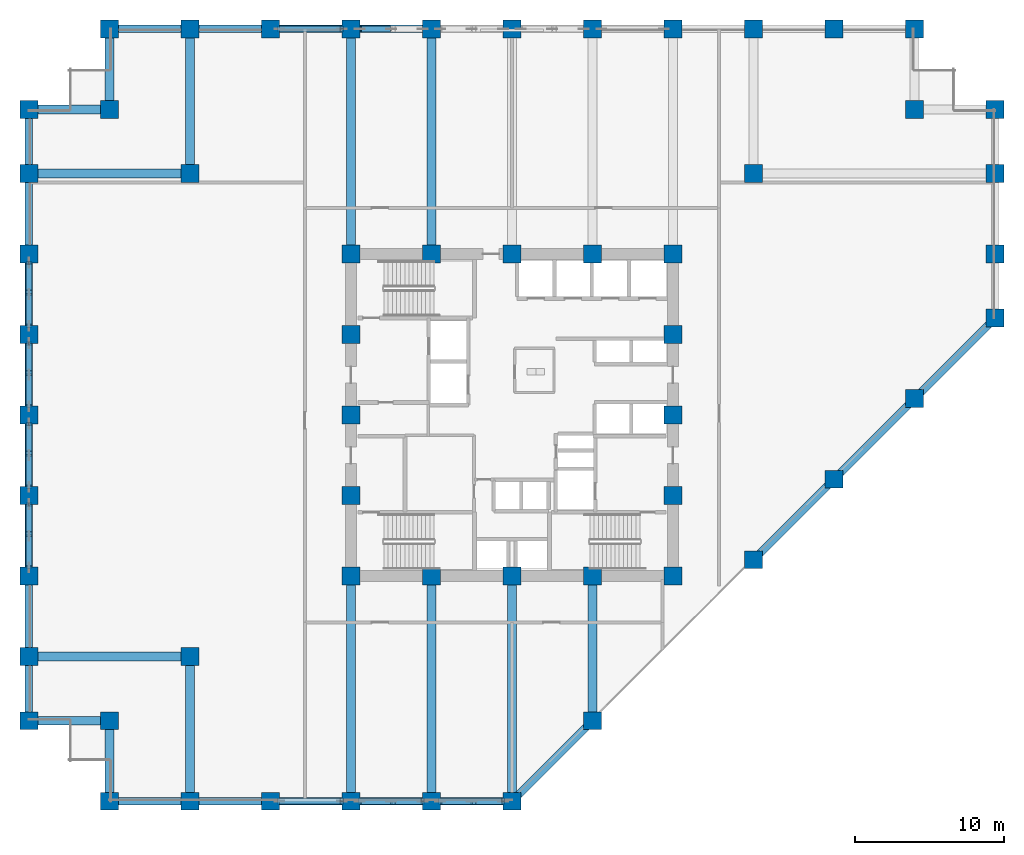
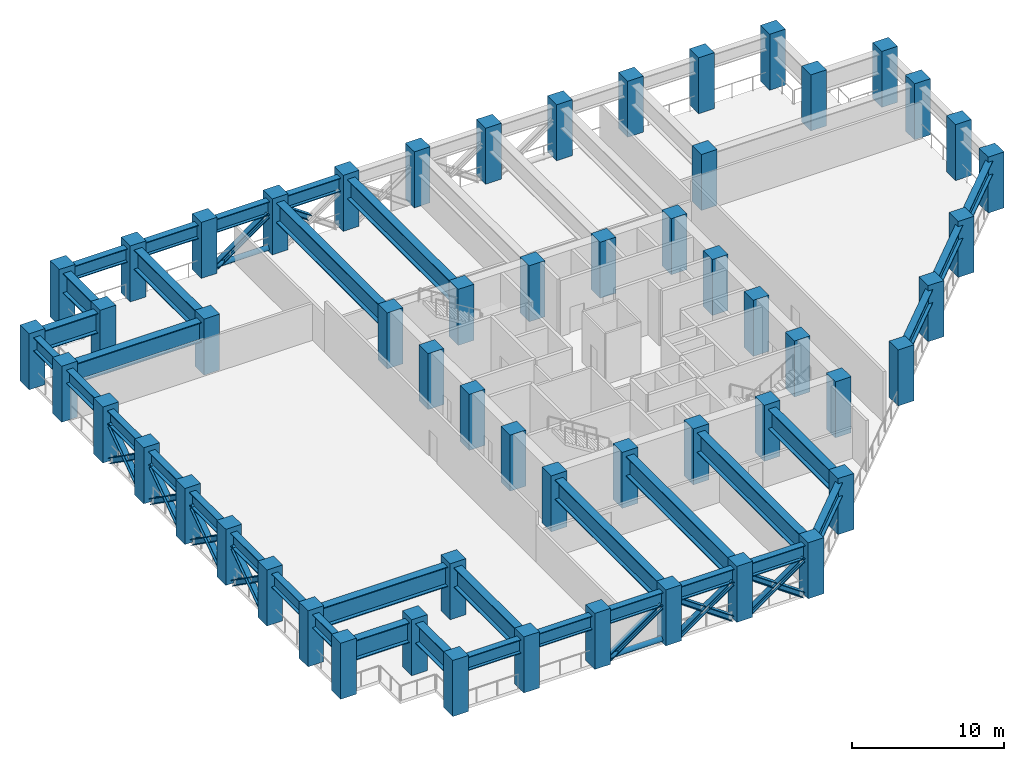
# One storey, part 1 of 12: 56 columns, 35 beams, 23 members.
"""IFC4 building model written with IfcOpenShell, lengths in metres."""

from ifc_helpers import new_model, si_unit, direction, frame, origin, origin_2d, place, context, subcontext, project, spatial, rectangle, hollow_circle, i_section, extrude, material, material_profile, profile_set, type_object, element, save


model = new_model("IFC4")

# Units and contexts
model_context = context("Model", 3, precision=1e-05, world=origin(), true_north=direction((0.0, 1.0)))
body_context = subcontext(model_context, "Body", "Model", "MODEL_VIEW")
ifc_project = project(units=[si_unit("LENGTHUNIT", "METRE"), si_unit("AREAUNIT", "SQUARE_METRE"), si_unit("VOLUMEUNIT", "CUBIC_METRE"), si_unit("PLANEANGLEUNIT", "RADIAN"), si_unit("MASSUNIT", "GRAM", prefix="KILO")], contexts=[model_context])

# Site, building, storey
site_placement = place(None, origin())
site = spatial("IfcSite", under=ifc_project, at=site_placement, CompositionType="ELEMENT")
building_placement = place(site_placement, origin())
building = spatial("IfcBuilding", under=site, at=building_placement, Name="Surkhivell Harbour Commons", CompositionType="ELEMENT")
storey_placement = place(building_placement, frame((0.0, 0.0, 78.75)))
storey = spatial("IfcBuildingStorey", under=building, at=storey_placement, Name="L20", CompositionType="ELEMENT", Elevation=78.75)

# Columns
ifc_material_1 = material(Name="Concrete C80/95", Category="concrete")
ifc_material_profile_1 = material_profile(ifc_material_1, rectangle(XDim=1.199951171875, YDim=1.199951171875, at=origin_2d()), Name="RC-COL-1200x1200")
ifc_profile_set_1 = profile_set([ifc_material_profile_1], Name="Concrete C80/95")
column_type = type_object("IfcColumnType", Name="COL-TUBE-Z1B", PredefinedType="COLUMN", material=ifc_profile_set_1)
for number, where, z_axis, x_axis, name in (
    (1, (-32.39990234375, -20.5, 0.0), (0.0, 0.0, 1.0), (1.0, 0.0, 0.0), "L20 Column CT-1B (-32.4,-20.5)"),
    (2, (-32.39990234375, -16.199951171875, 0.0), (0.0, 0.0, 1.0), (1.0, 0.0, 0.0), "L20 Column CT-1B (-32.4,-16.2)"),
    (3, (-32.39990234375, -10.800048828125, 0.0), (0.0, 0.0, 1.0), (1.0, 0.0, 0.0), "L20 Column CT-1B (-32.4,-10.8)"),
    (4, (-32.39990234375, -5.39990234375, 0.0), (0.0, 0.0, 1.0), (1.0, 0.0, 0.0), "L20 Column CT-1B (-32.4,-5.4)"),
    (5, (-32.39990234375, 0.0, 0.0), (0.0, 0.0, 1.0), (1.0, 0.0, 0.0), "L20 Column CT-1B (-32.4,0.0)"),
    (6, (-32.39990234375, 5.39990234375, 0.0), (0.0, 0.0, 1.0), (1.0, 0.0, 0.0), "L20 Column CT-1B (-32.4,5.4)"),
    (7, (-32.39990234375, 10.800048828125, 0.0), (0.0, 0.0, 1.0), (1.0, 0.0, 0.0), "L20 Column CT-1B (-32.4,10.8)"),
    (8, (-32.39990234375, 16.199951171875, 0.0), (0.0, 0.0, 1.0), (1.0, 0.0, 0.0), "L20 Column CT-1B (-32.4,16.2)"),
    (9, (-32.39990234375, 20.5, 0.0), (0.0, 0.0, 1.0), (1.0, 0.0, 0.0), "L20 Column CT-1B (-32.4,20.5)"),
    (10, (-27.0, -25.89990234375, 0.0), (0.0, 0.0, 1.0), (1.0, 0.0, 0.0), "L20 Column CT-1B (-27.0,-25.9)"),
    (11, (-27.0, -20.5, 0.0), (0.0, 0.0, 1.0), (1.0, 0.0, 0.0), "L20 Column CT-1B (-27.0,-20.5)"),
    (12, (-27.0, 20.5, 0.0), (0.0, 0.0, 1.0), (1.0, 0.0, 0.0), "L20 Column CT-1B (-27.0,20.5)"),
    (13, (-27.0, 25.89990234375, 0.0), (0.0, 0.0, 1.0), (1.0, 0.0, 0.0), "L20 Column CT-1B (-27.0,25.9)"),
    (14, (-21.60009765625, -25.89990234375, 0.0), (0.0, 0.0, 1.0), (1.0, 0.0, 0.0), "L20 Column CT-1B (-21.6,-25.9)"),
    (15, (-21.60009765625, -16.199951171875, 0.0), (0.0, 0.0, 1.0), (1.0, 0.0, 0.0), "L20 Column CT-1B (-21.6,-16.2)"),
    (16, (-21.60009765625, 16.199951171875, 0.0), (0.0, 0.0, 1.0), (1.0, 0.0, 0.0), "L20 Column CT-1B (-21.6,16.2)"),
    (17, (-21.60009765625, 25.89990234375, 0.0), (0.0, 0.0, 1.0), (1.0, 0.0, 0.0), "L20 Column CT-1B (-21.6,25.9)"),
    (18, (-16.199951171875, -25.89990234375, 0.0), (0.0, 0.0, 1.0), (1.0, 0.0, 0.0), "L20 Column CT-1B (-16.2,-25.9)"),
    (19, (-16.199951171875, 25.89990234375, 0.0), (0.0, 0.0, 1.0), (1.0, 0.0, 0.0), "L20 Column CT-1B (-16.2,25.9)"),
    (20, (-10.800048828125, -25.89990234375, 0.0), (0.0, 0.0, 1.0), (1.0, 0.0, 0.0), "L20 Column CT-1B (-10.8,-25.9)"),
    (21, (-10.800048828125, -10.800048828125, 0.0), (0.0, 0.0, 1.0), (1.0, 0.0, 0.0), "L20 Column CT-1B (-10.8,-10.8)"),
    (22, (-10.800048828125, -5.39990234375, 0.0), (0.0, 0.0, 1.0), (1.0, 0.0, 0.0), "L20 Column CT-1B (-10.8,-5.4)"),
    (23, (-10.800048828125, 0.0, 0.0), (0.0, 0.0, 1.0), (1.0, 0.0, 0.0), "L20 Column CT-1B (-10.8,0.0)"),
    (24, (-10.800048828125, 5.39990234375, 0.0), (0.0, 0.0, 1.0), (1.0, 0.0, 0.0), "L20 Column CT-1B (-10.8,5.4)"),
    (25, (-10.800048828125, 10.800048828125, 0.0), (0.0, 0.0, 1.0), (1.0, 0.0, 0.0), "L20 Column CT-1B (-10.8,10.8)"),
    (26, (-10.800048828125, 25.89990234375, 0.0), (0.0, 0.0, 1.0), (1.0, 0.0, 0.0), "L20 Column CT-1B (-10.8,25.9)"),
    (27, (-5.39990234375, -25.89990234375, 0.0), (0.0, 0.0, 1.0), (1.0, 0.0, 0.0), "L20 Column CT-1B (-5.4,-25.9)"),
    (28, (-5.39990234375, -10.800048828125, 0.0), (0.0, 0.0, 1.0), (1.0, 0.0, 0.0), "L20 Column CT-1B (-5.4,-10.8)"),
    (29, (-5.39990234375, 10.800048828125, 0.0), (0.0, 0.0, 1.0), (1.0, 0.0, 0.0), "L20 Column CT-1B (-5.4,10.8)"),
    (30, (-5.39990234375, 25.89990234375, 0.0), (0.0, 0.0, 1.0), (1.0, 0.0, 0.0), "L20 Column CT-1B (-5.4,25.9)"),
    (31, (0.0, -25.89990234375, 0.0), (0.0, 0.0, 1.0), (1.0, 0.0, 0.0), "L20 Column CT-1B (-0.0,-25.9)"),
    (32, (0.0, -10.800048828125, 0.0), (0.0, 0.0, 1.0), (1.0, 0.0, 0.0), "L20 Column CT-1B (0.0,-10.8)"),
    (33, (0.0, 10.800048828125, 0.0), (0.0, 0.0, 1.0), (1.0, 0.0, 0.0), "L20 Column CT-1B (0.0,10.8)"),
    (34, (0.0, 25.89990234375, 0.0), (0.0, 0.0, 1.0), (1.0, 0.0, 0.0), "L20 Column CT-1B (-0.0,25.9)"),
    (35, (5.39990234375, -20.5, 0.0), (0.0, 0.0, 1.0), (1.0, 0.0, 0.0), "L20 Column CT-1B (5.4,-20.5)"),
    (36, (5.39990234375, -10.800048828125, 0.0), (0.0, 0.0, 1.0), (1.0, 0.0, 0.0), "L20 Column CT-1B (5.4,-10.8)"),
    (37, (5.39990234375, 10.800048828125, 0.0), (0.0, 0.0, 1.0), (1.0, 0.0, 0.0), "L20 Column CT-1B (5.4,10.8)"),
    (38, (5.39990234375, 25.89990234375, 0.0), (0.0, 0.0, 1.0), (1.0, 0.0, 0.0), "L20 Column CT-1B (5.4,25.9)"),
    (39, (10.800048828125, -10.800048828125, 0.0), (0.0, 0.0, 1.0), (1.0, 0.0, 0.0), "L20 Column CT-1B (10.8,-10.8)"),
    (40, (10.800048828125, -5.39990234375, 0.0), (0.0, 0.0, 1.0), (1.0, 0.0, 0.0), "L20 Column CT-1B (10.8,-5.4)"),
    (41, (10.800048828125, 0.0, 0.0), (0.0, 0.0, 1.0), (1.0, 0.0, 0.0), "L20 Column CT-1B (10.8,0.0)"),
    (42, (10.800048828125, 5.39990234375, 0.0), (0.0, 0.0, 1.0), (1.0, 0.0, 0.0), "L20 Column CT-1B (10.8,5.4)"),
    (43, (10.800048828125, 10.800048828125, 0.0), (0.0, 0.0, 1.0), (1.0, 0.0, 0.0), "L20 Column CT-1B (10.8,10.8)"),
    (44, (10.800048828125, 25.89990234375, 0.0), (0.0, 0.0, 1.0), (1.0, 0.0, 0.0), "L20 Column CT-1B (10.8,25.9)"),
    (45, (16.199951171875, -9.699951171875, 0.0), (0.0, 0.0, 1.0), (1.0, 0.0, 0.0), "L20 Column CT-1B (16.2,-9.7)"),
    (46, (16.199951171875, 16.199951171875, 0.0), (0.0, 0.0, 1.0), (1.0, 0.0, 0.0), "L20 Column CT-1B (16.2,16.2)"),
    (47, (16.199951171875, 25.89990234375, 0.0), (0.0, 0.0, 1.0), (1.0, 0.0, 0.0), "L20 Column CT-1B (16.2,25.9)"),
    (48, (21.60009765625, -4.300048828125, 0.0), (0.0, 0.0, 1.0), (1.0, 0.0, 0.0), "L20 Column CT-1B (21.6,-4.3)"),
    (49, (21.60009765625, 25.89990234375, 0.0), (0.0, 0.0, 1.0), (1.0, 0.0, 0.0), "L20 Column CT-1B (21.6,25.9)"),
    (50, (27.0, 1.10009765625, 0.0), (0.0, 0.0, 1.0), (1.0, 0.0, 0.0), "L20 Column CT-1B (27.0,1.1)"),
    (51, (27.0, 20.5, 0.0), (0.0, 0.0, 1.0), (1.0, 0.0, 0.0), "L20 Column CT-1B (27.0,20.5)"),
    (52, (27.0, 25.89990234375, 0.0), (0.0, 0.0, 1.0), (1.0, 0.0, 0.0), "L20 Column CT-1B (27.0,25.9)"),
    (53, (32.39990234375, 6.5, 0.0), (0.0, 0.0, 1.0), (1.0, 0.0, 0.0), "L20 Column CT-1B (32.4,6.5)"),
    (54, (32.39990234375, 10.800048828125, 0.0), (0.0, 0.0, 1.0), (1.0, 0.0, 0.0), "L20 Column CT-1B (32.4,10.8)"),
    (55, (32.39990234375, 16.199951171875, 0.0), (0.0, 0.0, 1.0), (1.0, 0.0, 0.0), "L20 Column CT-1B (32.4,16.2)"),
    (56, (32.39990234375, 20.5, 0.0), (0.0, 0.0, 1.0), (1.0, 0.0, 0.0), "L20 Column CT-1B (32.4,20.5)"),
):
    element("IfcColumn", number, at=place(storey_placement, frame(where, z_axis=z_axis, x_axis=x_axis)), inside=storey, type_object=column_type, Name=name, PredefinedType="COLUMN", context=body_context, shape_type="SweptSolid", body=[
        extrude(rectangle(XDim=1.199951171875, YDim=1.199951171875, at=origin_2d()), origin(), (0.0, 0.0, 1.0), 4.5),
    ])

# Beams
ifc_material_2 = material(Name="Steel S460", Category="steel")
ifc_material_profile_2 = material_profile(ifc_material_2, i_section(OverallWidth=0.5, OverallDepth=1.10009765625, WebThickness=0.028076171875, FlangeThickness=0.054931640625, at=origin_2d()), Name="WPG1100x500x210")
ifc_profile_set_2 = profile_set([ifc_material_profile_2], Name="Steel S460")
beam_type_1 = type_object("IfcBeamType", Name="BM-BLT-1100", PredefinedType="BEAM", material=ifc_profile_set_2)
beam_1_placement = place(storey_placement, frame((-32.39990234375, -20.5, 3.530029296875), z_axis=(0.0, 1.0, 0.0), x_axis=(-1.0, 0.0, 0.0)))
element("IfcBeam", 57, at=beam_1_placement, inside=storey, type_object=beam_type_1, Name="L20 Tube Spandrel (-32.4,-20.5)", PredefinedType="BEAM", context=body_context, shape_type="SweptSolid", body=[
    extrude(i_section(OverallWidth=0.5, OverallDepth=1.10009765625, WebThickness=0.028076171875, FlangeThickness=0.054931640625, at=origin_2d()), origin(), (0.0, 0.0, 1.0), 4.300048828125),
])
beam_2_placement = place(storey_placement, frame((-32.39990234375, -16.199951171875, 3.530029296875), z_axis=(0.0, 1.0, 0.0), x_axis=(-1.0, 0.0, 0.0)))
element("IfcBeam", 58, at=beam_2_placement, inside=storey, type_object=beam_type_1, Name="L20 Tube Spandrel (-32.4,-16.2)", PredefinedType="BEAM", context=body_context, shape_type="SweptSolid", body=[
    extrude(i_section(OverallWidth=0.5, OverallDepth=1.10009765625, WebThickness=0.028076171875, FlangeThickness=0.054931640625, at=origin_2d()), origin(), (0.0, 0.0, 1.0), 5.39990234375),
])
beam_3_placement = place(storey_placement, frame((-32.39990234375, -10.800048828125, 3.530029296875), z_axis=(0.0, 1.0, 0.0), x_axis=(-1.0, 0.0, 0.0)))
element("IfcBeam", 59, at=beam_3_placement, inside=storey, type_object=beam_type_1, Name="L20 Tube Spandrel (-32.4,-10.8)", PredefinedType="BEAM", context=body_context, shape_type="SweptSolid", body=[
    extrude(i_section(OverallWidth=0.5, OverallDepth=1.10009765625, WebThickness=0.028076171875, FlangeThickness=0.054931640625, at=origin_2d()), origin(), (0.0, 0.0, 1.0), 5.400146484375),
])
for number, where, z_axis, x_axis, name in (
    (60, (-32.39990234375, -5.39990234375, 3.530029296875), (0.0, 1.0, 0.0), (-1.0, 0.0, 0.0), "L20 Tube Spandrel (-32.4,-5.4)"),
    (61, (-32.39990234375, 0.0, 3.530029296875), (0.0, 1.0, 0.0), (-1.0, 0.0, 0.0), "L20 Tube Spandrel (-32.4,0.0)"),
):
    element("IfcBeam", number, at=place(storey_placement, frame(where, z_axis=z_axis, x_axis=x_axis)), inside=storey, type_object=beam_type_1, Name=name, PredefinedType="BEAM", context=body_context, shape_type="SweptSolid", body=[
        extrude(i_section(OverallWidth=0.5, OverallDepth=1.10009765625, WebThickness=0.028076171875, FlangeThickness=0.054931640625, at=origin_2d()), origin(), (0.0, 0.0, 1.0), 5.39990234375),
    ])
beam_4_placement = place(storey_placement, frame((-32.39990234375, 5.39990234375, 3.530029296875), z_axis=(0.0, 1.0, 0.0), x_axis=(-1.0, 0.0, 0.0)))
element("IfcBeam", 62, at=beam_4_placement, inside=storey, type_object=beam_type_1, Name="L20 Tube Spandrel (-32.4,5.4)", PredefinedType="BEAM", context=body_context, shape_type="SweptSolid", body=[
    extrude(i_section(OverallWidth=0.5, OverallDepth=1.10009765625, WebThickness=0.028076171875, FlangeThickness=0.054931640625, at=origin_2d()), origin(), (0.0, 0.0, 1.0), 5.400146484375),
])
beam_5_placement = place(storey_placement, frame((-32.39990234375, 10.800048828125, 3.530029296875), z_axis=(0.0, 1.0, 0.0), x_axis=(-1.0, 0.0, 0.0)))
element("IfcBeam", 63, at=beam_5_placement, inside=storey, type_object=beam_type_1, Name="L20 Tube Spandrel (-32.4,10.8)", PredefinedType="BEAM", context=body_context, shape_type="SweptSolid", body=[
    extrude(i_section(OverallWidth=0.5, OverallDepth=1.10009765625, WebThickness=0.028076171875, FlangeThickness=0.054931640625, at=origin_2d()), origin(), (0.0, 0.0, 1.0), 5.39990234375),
])
beam_6_placement = place(storey_placement, frame((-32.39990234375, 16.199951171875, 3.530029296875), z_axis=(0.0, 1.0, 0.0), x_axis=(-1.0, 0.0, 0.0)))
element("IfcBeam", 64, at=beam_6_placement, inside=storey, type_object=beam_type_1, Name="L20 Tube Spandrel (-32.4,16.2)", PredefinedType="BEAM", context=body_context, shape_type="SweptSolid", body=[
    extrude(i_section(OverallWidth=0.5, OverallDepth=1.10009765625, WebThickness=0.028076171875, FlangeThickness=0.054931640625, at=origin_2d()), origin(), (0.0, 0.0, 1.0), 4.300048828125),
])
for number, where, z_axis, x_axis, name in (
    (65, (-27.0, -25.89990234375, 3.530029296875), (1.0, 0.0, 0.0), (0.0, 1.0, 0.0), "L20 Tube Spandrel (-27.0,-25.9)"),
    (66, (-27.0, 25.89990234375, 3.530029296875), (1.0, 0.0, 0.0), (0.0, 1.0, 0.0), "L20 Tube Spandrel (-27.0,25.9)"),
):
    element("IfcBeam", number, at=place(storey_placement, frame(where, z_axis=z_axis, x_axis=x_axis)), inside=storey, type_object=beam_type_1, Name=name, PredefinedType="BEAM", context=body_context, shape_type="SweptSolid", body=[
        extrude(i_section(OverallWidth=0.5, OverallDepth=1.10009765625, WebThickness=0.028076171875, FlangeThickness=0.054931640625, at=origin_2d()), origin(), (0.0, 0.0, 1.0), 5.39990234375),
    ])
for number, where, z_axis, x_axis, name in (
    (67, (-21.60009765625, -25.89990234375, 3.530029296875), (1.0, 0.0, 0.0), (0.0, 1.0, 0.0), "L20 Tube Spandrel (-21.6,-25.9)"),
    (68, (-21.60009765625, 25.89990234375, 3.530029296875), (1.0, 0.0, 0.0), (0.0, 1.0, 0.0), "L20 Tube Spandrel (-21.6,25.9)"),
):
    element("IfcBeam", number, at=place(storey_placement, frame(where, z_axis=z_axis, x_axis=x_axis)), inside=storey, type_object=beam_type_1, Name=name, PredefinedType="BEAM", context=body_context, shape_type="SweptSolid", body=[
        extrude(i_section(OverallWidth=0.5, OverallDepth=1.10009765625, WebThickness=0.028076171875, FlangeThickness=0.054931640625, at=origin_2d()), origin(), (0.0, 0.0, 1.0), 5.400146484375),
    ])
for number, where, z_axis, x_axis, name in (
    (69, (-16.199951171875, -25.89990234375, 3.530029296875), (1.0, 0.0, 0.0), (0.0, 1.0, 0.0), "L20 Tube Spandrel (-16.2,-25.9)"),
    (70, (-16.199951171875, 25.89990234375, 3.530029296875), (1.0, 0.0, 0.0), (0.0, 1.0, 0.0), "L20 Tube Spandrel (-16.2,25.9)"),
):
    element("IfcBeam", number, at=place(storey_placement, frame(where, z_axis=z_axis, x_axis=x_axis)), inside=storey, type_object=beam_type_1, Name=name, PredefinedType="BEAM", context=body_context, shape_type="SweptSolid", body=[
        extrude(i_section(OverallWidth=0.5, OverallDepth=1.10009765625, WebThickness=0.028076171875, FlangeThickness=0.054931640625, at=origin_2d()), origin(), (0.0, 0.0, 1.0), 5.39990234375),
    ])
for number, where, z_axis, x_axis, name in (
    (71, (-10.800048828125, -25.89990234375, 3.530029296875), (1.0, 0.0, 0.0), (0.0, 1.0, 0.0), "L20 Tube Spandrel (-10.8,-25.9)"),
    (72, (-10.800048828125, 25.89990234375, 3.530029296875), (1.0, 0.0, 0.0), (0.0, 1.0, 0.0), "L20 Tube Spandrel (-10.8,25.9)"),
):
    element("IfcBeam", number, at=place(storey_placement, frame(where, z_axis=z_axis, x_axis=x_axis)), inside=storey, type_object=beam_type_1, Name=name, PredefinedType="BEAM", context=body_context, shape_type="SweptSolid", body=[
        extrude(i_section(OverallWidth=0.5, OverallDepth=1.10009765625, WebThickness=0.028076171875, FlangeThickness=0.054931640625, at=origin_2d()), origin(), (0.0, 0.0, 1.0), 5.400146484375),
    ])
beam_7_placement = place(storey_placement, frame((-5.39990234375, -25.89990234375, 3.530029296875), z_axis=(1.0, 0.0, 0.0), x_axis=(0.0, 1.0, 0.0)))
element("IfcBeam", 73, at=beam_7_placement, inside=storey, type_object=beam_type_1, Name="L20 Tube Spandrel (-5.4,-25.9)", PredefinedType="BEAM", context=body_context, shape_type="SweptSolid", body=[
    extrude(i_section(OverallWidth=0.5, OverallDepth=1.10009765625, WebThickness=0.028076171875, FlangeThickness=0.054931640625, at=origin_2d()), origin(), (0.0, 0.0, 1.0), 5.39990234375),
])
for number, where, z_axis, x_axis, name in (
    (74, (0.0, -25.89990234375, 3.530029296875), (0.707106781187, 0.707106781187, 0.0), (-0.707106781187, 0.707106781187, 0.0), "L20 Tube Spandrel (-0.0,-25.9)"),
    (75, (16.199951171875, -9.699951171875, 3.530029296875), (0.707122765516, 0.707090796496, 0.0), (-0.707090796496, 0.707122765516, 0.0), "L20 Tube Spandrel (16.2,-9.7)"),
    (76, (21.60009765625, -4.300048828125, 3.530029296875), (0.707090796496, 0.707122765516, 0.0), (-0.707122765516, 0.707090796496, 0.0), "L20 Tube Spandrel (21.6,-4.3)"),
    (77, (27.0, 1.10009765625, 3.530029296875), (0.707106781187, 0.707106781187, 0.0), (-0.707106781187, 0.707106781187, 0.0), "L20 Tube Spandrel (27.0,1.1)"),
):
    element("IfcBeam", number, at=place(storey_placement, frame(where, z_axis=z_axis, x_axis=x_axis)), inside=storey, type_object=beam_type_1, Name=name, PredefinedType="BEAM", context=body_context, shape_type="SweptSolid", body=[
        extrude(i_section(OverallWidth=0.5, OverallDepth=1.10009765625, WebThickness=0.028076171875, FlangeThickness=0.054931640625, at=origin_2d()), origin(), (0.0, 0.0, 1.0), 7.63671875),
    ])
ifc_material_profile_3 = material_profile(ifc_material_2, i_section(OverallWidth=0.60009765625, OverallDepth=1.60009765625, WebThickness=0.035888671875, FlangeThickness=0.06494140625, at=origin_2d()), Name="WPG1600x600x296")
ifc_profile_set_3 = profile_set([ifc_material_profile_3], Name="Steel S460")
beam_type_2 = type_object("IfcBeamType", Name="BM-TRF-1600", PredefinedType="BEAM", material=ifc_profile_set_3)
beam_8_placement = place(storey_placement, frame((-32.39990234375, -20.5, 3.280029296875), z_axis=(1.0, 0.0, 0.0), x_axis=(0.0, 1.0, 0.0)))
element("IfcBeam", 78, at=beam_8_placement, inside=storey, type_object=beam_type_2, Name="L20 Floor Girder (-32.4,-20.5)", PredefinedType="BEAM", context=body_context, shape_type="SweptSolid", body=[
    extrude(i_section(OverallWidth=0.60009765625, OverallDepth=1.60009765625, WebThickness=0.035888671875, FlangeThickness=0.06494140625, at=origin_2d()), origin(), (0.0, 0.0, 1.0), 5.39990234375),
])
for number, where, z_axis, x_axis, name in (
    (79, (-32.39990234375, -16.199951171875, 3.280029296875), (1.0, 0.0, 0.0), (0.0, 1.0, 0.0), "L20 Floor Girder (-32.4,-16.2)"),
    (80, (-32.39990234375, 16.199951171875, 3.280029296875), (1.0, 0.0, 0.0), (0.0, 1.0, 0.0), "L20 Floor Girder (-32.4,16.2)"),
):
    element("IfcBeam", number, at=place(storey_placement, frame(where, z_axis=z_axis, x_axis=x_axis)), inside=storey, type_object=beam_type_2, Name=name, PredefinedType="BEAM", context=body_context, shape_type="SweptSolid", body=[
        extrude(i_section(OverallWidth=0.60009765625, OverallDepth=1.60009765625, WebThickness=0.035888671875, FlangeThickness=0.06494140625, at=origin_2d()), origin(), (0.0, 0.0, 1.0), 10.7998046875),
    ])
for number, where, z_axis, x_axis, name in (
    (81, (-32.39990234375, 20.5, 3.280029296875), (1.0, 0.0, 0.0), (0.0, 1.0, 0.0), "L20 Floor Girder (-32.4,20.5)"),
    (82, (-27.0, -25.89990234375, 3.280029296875), (0.0, 1.0, 0.0), (-1.0, 0.0, 0.0), "L20 Floor Girder (-27.0,-25.9)"),
    (83, (-27.0, 20.5, 3.280029296875), (0.0, 1.0, 0.0), (-1.0, 0.0, 0.0), "L20 Floor Girder (-27.0,20.5)"),
):
    element("IfcBeam", number, at=place(storey_placement, frame(where, z_axis=z_axis, x_axis=x_axis)), inside=storey, type_object=beam_type_2, Name=name, PredefinedType="BEAM", context=body_context, shape_type="SweptSolid", body=[
        extrude(i_section(OverallWidth=0.60009765625, OverallDepth=1.60009765625, WebThickness=0.035888671875, FlangeThickness=0.06494140625, at=origin_2d()), origin(), (0.0, 0.0, 1.0), 5.39990234375),
    ])
for number, where, z_axis, x_axis, name in (
    (84, (-21.60009765625, -25.89990234375, 3.280029296875), (0.0, 1.0, 0.0), (-1.0, 0.0, 0.0), "L20 Floor Girder (-21.6,-25.9)"),
    (85, (-21.60009765625, 16.199951171875, 3.280029296875), (0.0, 1.0, 0.0), (-1.0, 0.0, 0.0), "L20 Floor Girder (-21.6,16.2)"),
):
    element("IfcBeam", number, at=place(storey_placement, frame(where, z_axis=z_axis, x_axis=x_axis)), inside=storey, type_object=beam_type_2, Name=name, PredefinedType="BEAM", context=body_context, shape_type="SweptSolid", body=[
        extrude(i_section(OverallWidth=0.60009765625, OverallDepth=1.60009765625, WebThickness=0.035888671875, FlangeThickness=0.06494140625, at=origin_2d()), origin(), (0.0, 0.0, 1.0), 9.699951171875),
    ])
for number, where, z_axis, x_axis, name in (
    (86, (-10.800048828125, -25.89990234375, 3.280029296875), (0.0, 1.0, 0.0), (-1.0, 0.0, 0.0), "L20 Floor Girder (-10.8,-25.9)"),
    (87, (-10.800048828125, 10.800048828125, 3.280029296875), (0.0, 1.0, 0.0), (-1.0, 0.0, 0.0), "L20 Floor Girder (-10.8,10.8)"),
    (88, (-5.39990234375, -25.89990234375, 3.280029296875), (0.0, 1.0, 0.0), (-1.0, 0.0, 0.0), "L20 Floor Girder (-5.4,-25.9)"),
    (89, (-5.39990234375, 10.800048828125, 3.280029296875), (0.0, 1.0, 0.0), (-1.0, 0.0, 0.0), "L20 Floor Girder (-5.4,10.8)"),
    (90, (0.0, -25.89990234375, 3.280029296875), (0.0, 1.0, 0.0), (-1.0, 0.0, 0.0), "L20 Floor Girder (0.0,-25.9)"),
):
    element("IfcBeam", number, at=place(storey_placement, frame(where, z_axis=z_axis, x_axis=x_axis)), inside=storey, type_object=beam_type_2, Name=name, PredefinedType="BEAM", context=body_context, shape_type="SweptSolid", body=[
        extrude(i_section(OverallWidth=0.60009765625, OverallDepth=1.60009765625, WebThickness=0.035888671875, FlangeThickness=0.06494140625, at=origin_2d()), origin(), (0.0, 0.0, 1.0), 15.099853515625),
    ])
beam_9_placement = place(storey_placement, frame((5.39990234375, -20.5, 3.280029296875), z_axis=(0.0, 1.0, 0.0), x_axis=(-1.0, 0.0, 0.0)))
element("IfcBeam", 91, at=beam_9_placement, inside=storey, type_object=beam_type_2, Name="L20 Floor Girder (5.4,-20.5)", PredefinedType="BEAM", context=body_context, shape_type="SweptSolid", body=[
    extrude(i_section(OverallWidth=0.60009765625, OverallDepth=1.60009765625, WebThickness=0.035888671875, FlangeThickness=0.06494140625, at=origin_2d()), origin(), (0.0, 0.0, 1.0), 9.699951171875),
])

# Members
ifc_material_profile_4 = material_profile(ifc_material_2, i_section(OverallWidth=0.406005859375, OverallDepth=0.416015625, WebThickness=0.026611328125, FlangeThickness=0.0390625, at=origin_2d()), Name="HD400x382")
ifc_profile_set_4 = profile_set([ifc_material_profile_4], Name="Steel S460")
member_type_1 = type_object("IfcMemberType", Name="MEM-BLT-BT1", PredefinedType="BRACE", material=ifc_profile_set_4)
member_1_placement = place(storey_placement, frame((-32.39990234375, -4.81494140625, 0.008056640625), z_axis=(0.0, 0.817881291451, 0.575386994199), x_axis=(-1.0, 0.0, 0.0)))
element("IfcMember", 92, at=member_1_placement, inside=storey, type_object=member_type_1, Name="L20 Belt-Truss Diagonal BT- 01", PredefinedType="BRACE", context=body_context, shape_type="SweptSolid", body=[
    extrude(i_section(OverallWidth=0.406005859375, OverallDepth=0.416015625, WebThickness=0.026611328125, FlangeThickness=0.0390625, at=origin_2d()), origin(), (0.0, 0.0, 1.0), 5.171875),
])
for number, where, z_axis, x_axis, name in (
    (93, (-32.39990234375, -0.5849609375, 0.008056640625), (0.0, -0.817874182939, 0.57539709843), (1.0, 0.0, 0.0), "L20 Belt-Truss Diagonal BT- 02"),
    (94, (-32.39990234375, -2.86328125, 1.61083984375), (0.0, -0.817874182939, 0.57539709843), (1.0, 0.0, 0.0), "L20 Belt-Truss Diagonal BT- 03"),
):
    element("IfcMember", number, at=place(storey_placement, frame(where, z_axis=z_axis, x_axis=x_axis)), inside=storey, type_object=member_type_1, Name=name, PredefinedType="BRACE", context=body_context, shape_type="SweptSolid", body=[
        extrude(i_section(OverallWidth=0.406005859375, OverallDepth=0.416015625, WebThickness=0.026611328125, FlangeThickness=0.0390625, at=origin_2d()), origin(), (0.0, 0.0, 1.0), 2.38623046875),
    ])
member_2_placement = place(storey_placement, frame((-32.39990234375, 0.5849609375, 0.008056640625), z_axis=(0.0, 0.817881291451, 0.575386994199), x_axis=(-1.0, 0.0, 0.0)))
element("IfcMember", 95, at=member_2_placement, inside=storey, type_object=member_type_1, Name="L20 Belt-Truss Diagonal BT- 04", PredefinedType="BRACE", context=body_context, shape_type="SweptSolid", body=[
    extrude(i_section(OverallWidth=0.406005859375, OverallDepth=0.416015625, WebThickness=0.026611328125, FlangeThickness=0.0390625, at=origin_2d()), origin(), (0.0, 0.0, 1.0), 5.171875),
])
for number, where, z_axis, x_axis, name in (
    (96, (-32.39990234375, 4.81494140625, 0.008056640625), (0.0, -0.817874182939, 0.57539709843), (1.0, 0.0, 0.0), "L20 Belt-Truss Diagonal BT- 05"),
    (97, (-32.39990234375, 2.53662109375, 1.61083984375), (0.0, -0.817874182939, 0.57539709843), (1.0, 0.0, 0.0), "L20 Belt-Truss Diagonal BT- 06"),
):
    element("IfcMember", number, at=place(storey_placement, frame(where, z_axis=z_axis, x_axis=x_axis)), inside=storey, type_object=member_type_1, Name=name, PredefinedType="BRACE", context=body_context, shape_type="SweptSolid", body=[
        extrude(i_section(OverallWidth=0.406005859375, OverallDepth=0.416015625, WebThickness=0.026611328125, FlangeThickness=0.0390625, at=origin_2d()), origin(), (0.0, 0.0, 1.0), 2.38623046875),
    ])
member_3_placement = place(storey_placement, frame((-10.215087890625, -25.89990234375, 0.008056640625), z_axis=(0.817881291451, 0.0, 0.575386994199), x_axis=(0.0, 1.0, 0.0)))
element("IfcMember", 98, at=member_3_placement, inside=storey, type_object=member_type_1, Name="L20 Belt-Truss Diagonal BT- 13", PredefinedType="BRACE", context=body_context, shape_type="SweptSolid", body=[
    extrude(i_section(OverallWidth=0.406005859375, OverallDepth=0.416015625, WebThickness=0.026611328125, FlangeThickness=0.0390625, at=origin_2d()), origin(), (0.0, 0.0, 1.0), 5.171875),
])
member_4_placement = place(storey_placement, frame((-5.985107421875, -25.89990234375, 0.008056640625), z_axis=(-0.817874182939, 0.0, 0.57539709843), x_axis=(0.0, -1.0, 0.0)))
element("IfcMember", 99, at=member_4_placement, inside=storey, type_object=member_type_1, Name="L20 Belt-Truss Diagonal BT- 14", PredefinedType="BRACE", context=body_context, shape_type="SweptSolid", body=[
    extrude(i_section(OverallWidth=0.406005859375, OverallDepth=0.416015625, WebThickness=0.026611328125, FlangeThickness=0.0390625, at=origin_2d()), origin(), (0.0, 0.0, 1.0), 2.38623046875),
])
member_5_placement = place(storey_placement, frame((-8.26318359375, -25.89990234375, 1.61083984375), z_axis=(-0.817908052002, 0.0, 0.575348953653), x_axis=(0.0, -1.0, 0.0)))
element("IfcMember", 100, at=member_5_placement, inside=storey, type_object=member_type_1, Name="L20 Belt-Truss Diagonal BT- 15", PredefinedType="BRACE", context=body_context, shape_type="SweptSolid", body=[
    extrude(i_section(OverallWidth=0.406005859375, OverallDepth=0.416015625, WebThickness=0.026611328125, FlangeThickness=0.0390625, at=origin_2d()), origin(), (0.0, 0.0, 1.0), 2.386474609375),
])
member_6_placement = place(storey_placement, frame((-4.81494140625, -25.89990234375, 0.008056640625), z_axis=(0.817881291451, 0.0, 0.575386994199), x_axis=(0.0, 1.0, 0.0)))
element("IfcMember", 101, at=member_6_placement, inside=storey, type_object=member_type_1, Name="L20 Belt-Truss Diagonal BT- 16", PredefinedType="BRACE", context=body_context, shape_type="SweptSolid", body=[
    extrude(i_section(OverallWidth=0.406005859375, OverallDepth=0.416015625, WebThickness=0.026611328125, FlangeThickness=0.0390625, at=origin_2d()), origin(), (0.0, 0.0, 1.0), 5.171875),
])
for number, where, z_axis, x_axis, name in (
    (102, (-0.5849609375, -25.89990234375, 0.008056640625), (-0.817874182939, 0.0, 0.57539709843), (0.0, -1.0, 0.0), "L20 Belt-Truss Diagonal BT- 17"),
    (103, (-2.86328125, -25.89990234375, 1.61083984375), (-0.817874182939, 0.0, 0.57539709843), (0.0, -1.0, 0.0), "L20 Belt-Truss Diagonal BT- 18"),
):
    element("IfcMember", number, at=place(storey_placement, frame(where, z_axis=z_axis, x_axis=x_axis)), inside=storey, type_object=member_type_1, Name=name, PredefinedType="BRACE", context=body_context, shape_type="SweptSolid", body=[
        extrude(i_section(OverallWidth=0.406005859375, OverallDepth=0.416015625, WebThickness=0.026611328125, FlangeThickness=0.0390625, at=origin_2d()), origin(), (0.0, 0.0, 1.0), 2.38623046875),
    ])
member_7_placement = place(storey_placement, frame((-8.26318359375, 25.89990234375, 1.61083984375), z_axis=(-0.817908052002, 0.0, 0.575348953653), x_axis=(0.0, -1.0, 0.0)))
element("IfcMember", 104, at=member_7_placement, inside=storey, type_object=member_type_1, Name="L20 Belt-Truss Diagonal BT- 21", PredefinedType="BRACE", context=body_context, shape_type="SweptSolid", body=[
    extrude(i_section(OverallWidth=0.406005859375, OverallDepth=0.416015625, WebThickness=0.026611328125, FlangeThickness=0.0390625, at=origin_2d()), origin(), (0.0, 0.0, 1.0), 2.386474609375),
])
member_8_placement = place(storey_placement, frame((-32.39990234375, -10.215087890625, 0.008056640625), z_axis=(0.0, 0.817881291451, 0.575386994199), x_axis=(-1.0, 0.0, 0.0)))
element("IfcMember", 105, at=member_8_placement, inside=storey, type_object=member_type_1, Name="L20 Belt-Truss Diagonal BT- 22", PredefinedType="BRACE", context=body_context, shape_type="SweptSolid", body=[
    extrude(i_section(OverallWidth=0.406005859375, OverallDepth=0.416015625, WebThickness=0.026611328125, FlangeThickness=0.0390625, at=origin_2d()), origin(), (0.0, 0.0, 1.0), 5.171875),
])
member_9_placement = place(storey_placement, frame((-32.39990234375, -5.985107421875, 0.008056640625), z_axis=(0.0, -0.817874182939, 0.57539709843), x_axis=(1.0, 0.0, 0.0)))
element("IfcMember", 106, at=member_9_placement, inside=storey, type_object=member_type_1, Name="L20 Belt-Truss Diagonal BT- 23", PredefinedType="BRACE", context=body_context, shape_type="SweptSolid", body=[
    extrude(i_section(OverallWidth=0.406005859375, OverallDepth=0.416015625, WebThickness=0.026611328125, FlangeThickness=0.0390625, at=origin_2d()), origin(), (0.0, 0.0, 1.0), 2.38623046875),
])
member_10_placement = place(storey_placement, frame((-32.39990234375, -8.26318359375, 1.61083984375), z_axis=(0.0, -0.817908052002, 0.575348953653), x_axis=(1.0, 0.0, 0.0)))
element("IfcMember", 107, at=member_10_placement, inside=storey, type_object=member_type_1, Name="L20 Belt-Truss Diagonal BT- 24", PredefinedType="BRACE", context=body_context, shape_type="SweptSolid", body=[
    extrude(i_section(OverallWidth=0.406005859375, OverallDepth=0.416015625, WebThickness=0.026611328125, FlangeThickness=0.0390625, at=origin_2d()), origin(), (0.0, 0.0, 1.0), 2.386474609375),
])
member_11_placement = place(storey_placement, frame((-32.39990234375, 5.985107421875, 0.008056640625), z_axis=(0.0, 0.817881291451, 0.575386994199), x_axis=(-1.0, 0.0, 0.0)))
element("IfcMember", 108, at=member_11_placement, inside=storey, type_object=member_type_1, Name="L20 Belt-Truss Diagonal BT- 25", PredefinedType="BRACE", context=body_context, shape_type="SweptSolid", body=[
    extrude(i_section(OverallWidth=0.406005859375, OverallDepth=0.416015625, WebThickness=0.026611328125, FlangeThickness=0.0390625, at=origin_2d()), origin(), (0.0, 0.0, 1.0), 5.171875),
])
member_12_placement = place(storey_placement, frame((-32.39990234375, 10.215087890625, 0.008056640625), z_axis=(0.0, -0.817908052002, 0.575348953653), x_axis=(1.0, 0.0, 0.0)))
element("IfcMember", 109, at=member_12_placement, inside=storey, type_object=member_type_1, Name="L20 Belt-Truss Diagonal BT- 26", PredefinedType="BRACE", context=body_context, shape_type="SweptSolid", body=[
    extrude(i_section(OverallWidth=0.406005859375, OverallDepth=0.416015625, WebThickness=0.026611328125, FlangeThickness=0.0390625, at=origin_2d()), origin(), (0.0, 0.0, 1.0), 2.386474609375),
])
member_13_placement = place(storey_placement, frame((-32.39990234375, 7.936767578125, 1.61083984375), z_axis=(0.0, -0.817874182939, 0.57539709843), x_axis=(1.0, 0.0, 0.0)))
element("IfcMember", 110, at=member_13_placement, inside=storey, type_object=member_type_1, Name="L20 Belt-Truss Diagonal BT- 27", PredefinedType="BRACE", context=body_context, shape_type="SweptSolid", body=[
    extrude(i_section(OverallWidth=0.406005859375, OverallDepth=0.416015625, WebThickness=0.026611328125, FlangeThickness=0.0390625, at=origin_2d()), origin(), (0.0, 0.0, 1.0), 2.38623046875),
])
ifc_material_profile_5 = material_profile(ifc_material_2, hollow_circle(Radius=0.203125, WallThickness=0.02001953125, at=origin_2d()), Name="CHS406x20")
ifc_profile_set_5 = profile_set([ifc_material_profile_5], Name="Steel S460")
member_type_2 = type_object("IfcMemberType", Name="MEM-CHD-CHS406", PredefinedType="CHORD", material=ifc_profile_set_5)
for number, where, z_axis, x_axis, name in (
    (111, (-15.60205078125, 25.89990234375, 0.22998046875), (1.0, 0.0, 0.0), (0.0, 1.0, 0.0), "L20 Outrigger Bottom Chord OC-02"),
    (112, (-15.60205078125, -25.89990234375, 0.22998046875), (1.0, 0.0, 0.0), (0.0, 1.0, 0.0), "L20 Outrigger Bottom Chord OC-06"),
):
    element("IfcMember", number, at=place(storey_placement, frame(where, z_axis=z_axis, x_axis=x_axis)), inside=storey, type_object=member_type_2, Name=name, PredefinedType="CHORD", context=body_context, shape_type="SweptSolid", body=[
        extrude(hollow_circle(Radius=0.203125, WallThickness=0.02001953125, at=origin_2d()), origin(), (0.0, 0.0, 1.0), 4.2041015625),
    ])
ifc_material_profile_6 = material_profile(ifc_material_2, i_section(OverallWidth=0.41796875, OverallDepth=0.455078125, WebThickness=0.03759765625, FlangeThickness=0.055908203125, at=origin_2d()), Name="HD400x551")
ifc_profile_set_6 = profile_set([ifc_material_profile_6], Name="Steel S460")
member_type_3 = type_object("IfcMemberType", Name="MEM-OUT-OT1", PredefinedType="BRACE", material=ifc_profile_set_6)
for number, where, z_axis, x_axis, name in (
    (113, (-15.60205078125, 25.89990234375, 0.010009765625), (0.816192120322, 0.0, 0.577780600855), (0.0, 1.0, 0.0), "L20 Outrigger Truss Diagonal OT-01"),
    (114, (-15.60205078125, -25.89990234375, 0.010009765625), (0.816192120322, 0.0, 0.577780600855), (0.0, 1.0, 0.0), "L20 Outrigger Truss Diagonal OT-05"),
):
    element("IfcMember", number, at=place(storey_placement, frame(where, z_axis=z_axis, x_axis=x_axis)), inside=storey, type_object=member_type_3, Name=name, PredefinedType="BRACE", context=body_context, shape_type="SweptSolid", body=[
        extrude(i_section(OverallWidth=0.41796875, OverallDepth=0.455078125, WebThickness=0.03759765625, FlangeThickness=0.055908203125, at=origin_2d()), origin(), (0.0, 0.0, 1.0), 5.15087890625),
    ])

save(model, "model.ifc")
